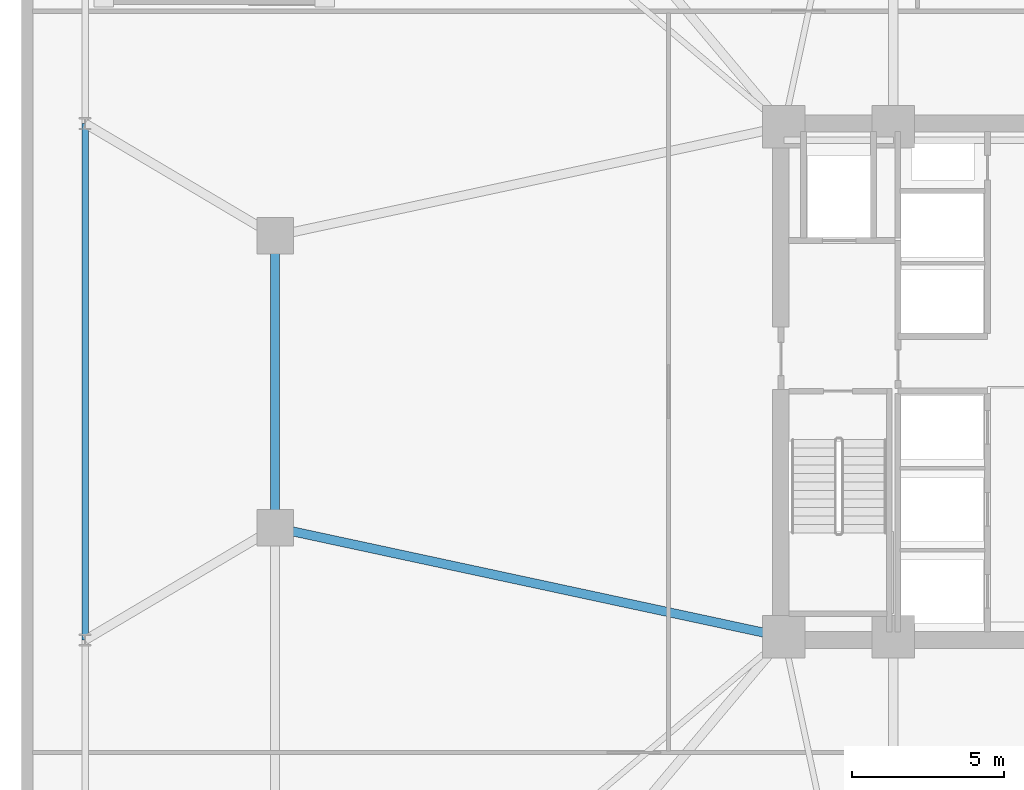
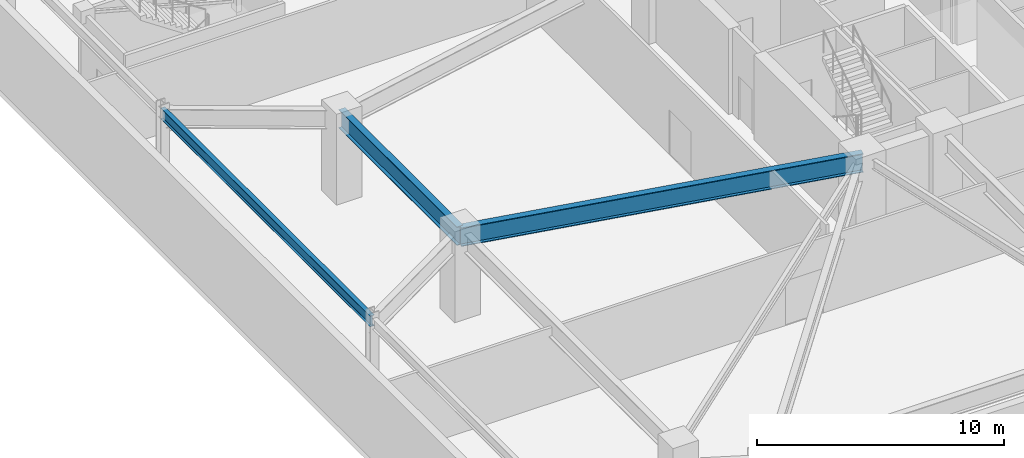
# One storey, part 4 of 21: 3 beams.
"""IFC4 building model written with IfcOpenShell, lengths in metres."""

from ifc_helpers import new_model, si_unit, direction, frame, origin, origin_2d, place, context, subcontext, project, spatial, i_section, extrude, material, material_profile, profile_set, type_object, element, save


model = new_model("IFC4")

# Units and contexts
model_context = context("Model", 3, precision=1e-05, world=origin(), true_north=direction((0.0, 1.0)))
body_context = subcontext(model_context, "Body", "Model", "MODEL_VIEW")
ifc_project = project(units=[si_unit("LENGTHUNIT", "METRE"), si_unit("AREAUNIT", "SQUARE_METRE"), si_unit("VOLUMEUNIT", "CUBIC_METRE"), si_unit("PLANEANGLEUNIT", "RADIAN"), si_unit("MASSUNIT", "GRAM", prefix="KILO")], contexts=[model_context])

# Site, building, storey
site_placement = place(None, origin())
site = spatial("IfcSite", under=ifc_project, at=site_placement, CompositionType="ELEMENT")
building_placement = place(site_placement, origin())
building = spatial("IfcBuilding", under=site, at=building_placement, Name="Cairnveth Concourse Tower", CompositionType="ELEMENT")
storey_placement = place(building_placement, frame((0.0, 0.0, 10.0)))
storey = spatial("IfcBuildingStorey", under=building, at=storey_placement, Name="L02", CompositionType="ELEMENT", Elevation=10.0)

# Beams
ifc_material = material(Name="Steel Grade 350", Category="steel")
ifc_material_profile_1 = material_profile(ifc_material, i_section(OverallWidth=0.208984375, OverallDepth=0.532958984375, WebThickness=0.01025390625, FlangeThickness=0.015625, FilletRadius=0.013916015625, at=origin_2d()), Name="530UB92.4")
ifc_profile_set_1 = profile_set([ifc_material_profile_1], Name="Steel Grade 350")
beam_type_1 = type_object("IfcBeamType", Name="PODIUM EDGE SPANDREL 530UB92.4", PredefinedType="SPANDREL", material=ifc_profile_set_1)
beam_1_placement = place(storey_placement, frame((20.60009765625, 30.5, 3.95361328125), z_axis=(0.0, 1.0, 0.0), x_axis=(-1.0, 0.0, 0.0)))
element("IfcBeam", 1, at=beam_1_placement, inside=storey, type_object=beam_type_1, Name="Beam PSP-W2 L02", PredefinedType="SPANDREL", context=body_context, shape_type="SweptSolid", body=[
    extrude(i_section(OverallWidth=0.208984375, OverallDepth=0.532958984375, WebThickness=0.01025390625, FlangeThickness=0.015625, FilletRadius=0.013916015625, at=origin_2d()), origin(), (0.0, 0.0, 1.0), 17.0),
])
ifc_material_profile_2 = material_profile(ifc_material, i_section(OverallWidth=0.300048828125, OverallDepth=0.924072265625, WebThickness=0.013916015625, FlangeThickness=0.031982421875, at=origin_2d()), Name="900WB257")
ifc_profile_set_2 = profile_set([ifc_material_profile_2], Name="Steel Grade 350")
beam_type_2 = type_object("IfcBeamType", Name="PODIUM PRIMARY GIRDER 900WB257", PredefinedType="BEAM", material=ifc_profile_set_2)
beam_2_placement = place(storey_placement, frame((26.85009765625, 34.199951171875, 3.758056640625), z_axis=(0.977675861524, -0.210118799239, 0.0), x_axis=(0.210118799239, 0.977675861524, 0.0)))
element("IfcBeam", 2, at=beam_2_placement, inside=storey, type_object=beam_type_2, Name="Beam PG-W1B L02", PredefinedType="BEAM", context=body_context, shape_type="SweptSolid", body=[
    extrude(i_section(OverallWidth=0.300048828125, OverallDepth=0.924072265625, WebThickness=0.013916015625, FlangeThickness=0.031982421875, at=origin_2d()), origin(), (0.0, 0.0, 1.0), 17.132568359375),
])
beam_3_placement = place(storey_placement, frame((26.85009765625, 34.199951171875, 3.758056640625), z_axis=(0.0, 1.0, 0.0), x_axis=(-1.0, 0.0, 0.0)))
element("IfcBeam", 3, at=beam_3_placement, inside=storey, type_object=beam_type_2, Name="Beam PR-W2 L02", PredefinedType="BEAM", context=body_context, shape_type="SweptSolid", body=[
    extrude(i_section(OverallWidth=0.300048828125, OverallDepth=0.924072265625, WebThickness=0.013916015625, FlangeThickness=0.031982421875, at=origin_2d()), origin(), (0.0, 0.0, 1.0), 9.60009765625),
])

save(model, "model.ifc")
